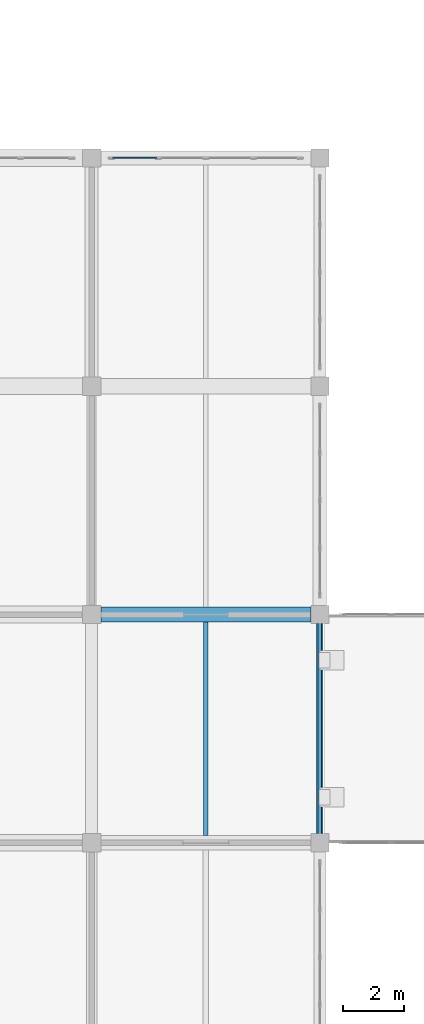
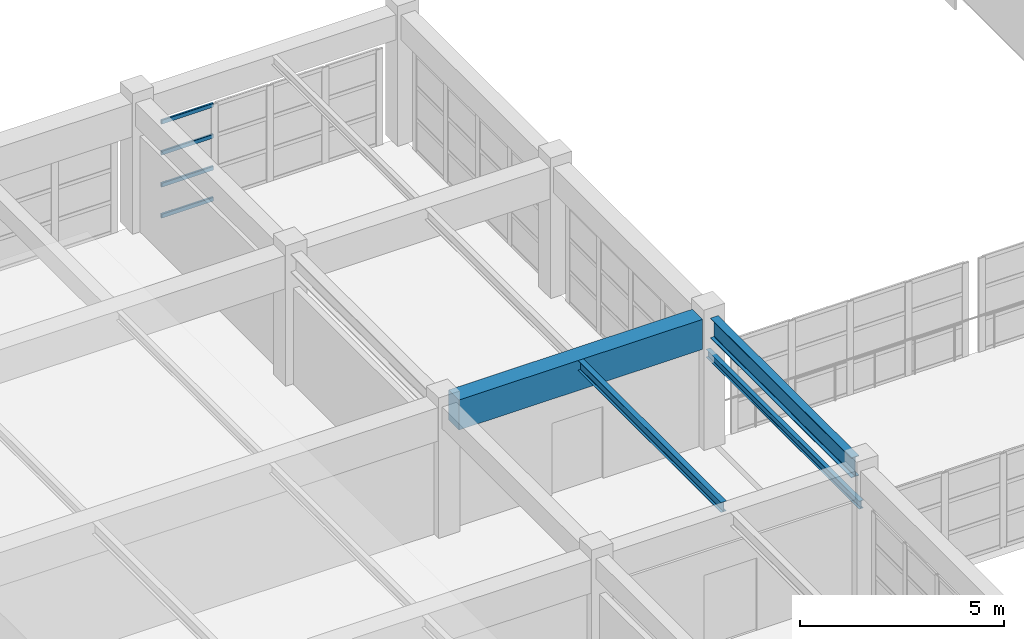
# One storey, part 21 of 124: 4 beams, 4 members, 1 element without a shape of its own.
"""IFC4 building model written with IfcOpenShell, lengths in metres."""

from ifc_helpers import new_model, si_unit, direction, frame, origin, origin_2d, place, context, subcontext, project, spatial, rectangle, hollow_rectangle, i_section, extrude, material, material_profile, profile_set, type_object, element, aggregate, save


model = new_model("IFC4")

# Units and contexts
model_context = context("Model", 3, precision=1e-05, world=origin(), true_north=direction((0.0, 1.0)))
body_context = subcontext(model_context, "Body", "Model", "MODEL_VIEW")
ifc_project = project(units=[si_unit("LENGTHUNIT", "METRE"), si_unit("AREAUNIT", "SQUARE_METRE"), si_unit("VOLUMEUNIT", "CUBIC_METRE"), si_unit("PLANEANGLEUNIT", "RADIAN"), si_unit("MASSUNIT", "GRAM", prefix="KILO")], contexts=[model_context])

# Site, building, storey
site_placement = place(None, origin())
site = spatial("IfcSite", under=ifc_project, at=site_placement, CompositionType="ELEMENT")
building_placement = place(site_placement, origin())
building = spatial("IfcBuilding", under=site, at=building_placement, Name="Qasida Concert Hall", CompositionType="ELEMENT")
storey_placement = place(building_placement, frame((0.0, 0.0, 9.0)))
storey = spatial("IfcBuildingStorey", under=building, at=storey_placement, Name="L02", CompositionType="ELEMENT", Elevation=9.0)

# Beams
ifc_material_1 = material(Name="Concrete C40/50", Category="concrete")
ifc_material_profile_1 = material_profile(ifc_material_1, rectangle(XDim=0.5, YDim=0.89990234375, at=origin_2d()), Name="RC 500x900")
ifc_profile_set_1 = profile_set([ifc_material_profile_1], Name="Concrete C40/50")
beam_type_1 = type_object("IfcBeamType", Name="BM-G1", PredefinedType="USERDEFINED", material=ifc_profile_set_1)
beam_1_placement = place(storey_placement, frame((30.300048828125, 37.5, 3.449951171875), z_axis=(1.0, 0.0, 0.0), x_axis=(0.0, 1.0, 0.0)))
element("IfcBeam", 1, at=beam_1_placement, inside=storey, type_object=beam_type_1, Name="Primary girder 1286", ObjectType="GIRDER", PredefinedType="USERDEFINED", context=body_context, shape_type="SweptSolid", body=[
    extrude(rectangle(XDim=0.5, YDim=0.89990234375, at=origin_2d()), origin(), (0.0, 0.0, 1.0), 6.89990234375),
])
ifc_material_2 = material(Name="Steel S355J2", Category="steel")
ifc_material_profile_2 = material_profile(ifc_material_2, i_section(OverallWidth=0.14990234375, OverallDepth=0.300048828125, WebThickness=0.007080078125, FlangeThickness=0.0107421875, FilletRadius=0.014892578125, at=origin_2d()), Name="IPE 300")
ifc_profile_set_2 = profile_set([ifc_material_profile_2], Name="Steel S355J2")
beam_type_2 = type_object("IfcBeamType", Name="BM-J4", PredefinedType="JOIST", material=ifc_profile_set_2)
beam_2_placement = place(storey_placement, frame((33.75, 30.239990234375, 3.75), z_axis=(0.0, 1.0, 0.0), x_axis=(-1.0, 0.0, 0.0)))
element("IfcBeam", 2, at=beam_2_placement, inside=storey, type_object=beam_type_2, Name="L02 secondary joist 1347", PredefinedType="JOIST", context=body_context, shape_type="SweptSolid", body=[
    extrude(i_section(OverallWidth=0.14990234375, OverallDepth=0.300048828125, WebThickness=0.007080078125, FlangeThickness=0.0107421875, FilletRadius=0.014892578125, at=origin_2d()), origin(), (0.0, 0.0, 1.0), 7.010009765625),
])
ifc_material_profile_3 = material_profile(ifc_material_2, i_section(OverallWidth=0.1201171875, OverallDepth=0.239990234375, WebThickness=0.006103515625, FlangeThickness=0.009765625, FilletRadius=0.014892578125, at=origin_2d()), Name="IPE 240")
ifc_profile_set_3 = profile_set([ifc_material_profile_3], Name="Steel S355J2")
beam_type_3 = type_object("IfcBeamType", Name="BM-LN2", PredefinedType="LINTEL", material=ifc_profile_set_3)
beam_3_placement = place(storey_placement, frame((37.5, 30.0, 2.64990234375), z_axis=(0.0, 1.0, 0.0), x_axis=(-1.0, 0.0, 0.0)))
element("IfcBeam", 3, at=beam_3_placement, inside=storey, type_object=beam_type_3, Name="L02 portal lintel beam 012", PredefinedType="LINTEL", context=body_context, shape_type="SweptSolid", body=[
    extrude(i_section(OverallWidth=0.1201171875, OverallDepth=0.239990234375, WebThickness=0.006103515625, FlangeThickness=0.009765625, FilletRadius=0.014892578125, at=origin_2d()), origin(), (0.0, 0.0, 1.0), 7.5),
])
ifc_material_profile_4 = material_profile(ifc_material_2, i_section(OverallWidth=0.219970703125, OverallDepth=0.60009765625, WebThickness=0.011962890625, FlangeThickness=0.01904296875, FilletRadius=0.02392578125, at=origin_2d()), Name="IPE 600")
ifc_profile_set_4 = profile_set([ifc_material_profile_4], Name="Steel S355J2")
beam_type_4 = type_object("IfcBeamType", Name="BM-SP3", PredefinedType="SPANDREL", material=ifc_profile_set_4)
beam_4_placement = place(storey_placement, frame((37.5, 30.300048828125, 3.60009765625), z_axis=(0.0, 1.0, 0.0), x_axis=(-1.0, 0.0, 0.0)))
element("IfcBeam", 4, at=beam_4_placement, inside=storey, type_object=beam_type_4, Name="L02 girder 1318", PredefinedType="SPANDREL", context=body_context, shape_type="SweptSolid", body=[
    extrude(i_section(OverallWidth=0.219970703125, OverallDepth=0.60009765625, WebThickness=0.011962890625, FlangeThickness=0.01904296875, FilletRadius=0.02392578125, at=origin_2d()), origin(), (0.0, 0.0, 1.0), 6.89990234375),
])

# Curtain wall, members
ifc_material_3 = material(Name="Architectural bronze-anodized aluminium and low-E glass", Category="aluminium")
curtain_wall_type = type_object("IfcCurtainWallType", Name="CW-08", PredefinedType="NOTDEFINED", material=ifc_material_3)
curtain_wall_placement = place(storey_placement, origin())
curtain_wall = element("IfcCurtainWall", 5, at=curtain_wall_placement, inside=storey, type_object=curtain_wall_type, Name="L02 curtain wall CW-08 0108", PredefinedType="NOTDEFINED")
ifc_material_4 = material(Name="Architectural bronze-anodized aluminium EN AW-6063", Category="aluminium")
ifc_material_profile_5 = material_profile(ifc_material_4, hollow_rectangle(XDim=0.06005859375, YDim=0.1201171875, WallThickness=0.00390625, InnerFilletRadius=0.00390625, OuterFilletRadius=0.008056640625, at=origin_2d()), Name="CWT 120x60x4")
ifc_profile_set_5 = profile_set([ifc_material_profile_5], Name="Architectural bronze-anodized aluminium EN AW-6063")
member_type = type_object("IfcMemberType", Name="MB-CWT-2", PredefinedType="USERDEFINED", material=ifc_profile_set_5)
member_1_placement = place(storey_placement, frame((30.68505859375, 52.5, 0.030029296875), z_axis=(1.0, 0.0, 0.0), x_axis=(0.0, 1.0, 0.0)))
member_1 = element("IfcMember", 6, at=member_1_placement, type_object=member_type, Name="CW-08 transom 1.1", ObjectType="TRANSOM", PredefinedType="USERDEFINED", context=body_context, shape_type="SweptSolid", body=[
    extrude(hollow_rectangle(XDim=0.06005859375, YDim=0.1201171875, WallThickness=0.00390625, InnerFilletRadius=0.00390625, OuterFilletRadius=0.008056640625, at=origin_2d()), origin(), (0.0, 0.0, 1.0), 1.467529296875),
])
member_2_placement = place(storey_placement, frame((30.68505859375, 52.5, 0.956787109375), z_axis=(1.0, 0.0, 0.0), x_axis=(0.0, 1.0, 0.0)))
member_2 = element("IfcMember", 7, at=member_2_placement, type_object=member_type, Name="CW-08 transom 1.2", ObjectType="TRANSOM", PredefinedType="USERDEFINED", context=body_context, shape_type="SweptSolid", body=[
    extrude(hollow_rectangle(XDim=0.06005859375, YDim=0.1201171875, WallThickness=0.00390625, InnerFilletRadius=0.00390625, OuterFilletRadius=0.008056640625, at=origin_2d()), origin(), (0.0, 0.0, 1.0), 1.467529296875),
])
member_3_placement = place(storey_placement, frame((30.68505859375, 52.5, 1.913330078125), z_axis=(1.0, 0.0, 0.0), x_axis=(0.0, 1.0, 0.0)))
member_3 = element("IfcMember", 8, at=member_3_placement, type_object=member_type, Name="CW-08 transom 1.3", ObjectType="TRANSOM", PredefinedType="USERDEFINED", context=body_context, shape_type="SweptSolid", body=[
    extrude(hollow_rectangle(XDim=0.06005859375, YDim=0.1201171875, WallThickness=0.00390625, InnerFilletRadius=0.00390625, OuterFilletRadius=0.008056640625, at=origin_2d()), origin(), (0.0, 0.0, 1.0), 1.467529296875),
])
member_4_placement = place(storey_placement, frame((30.68505859375, 52.5, 2.840087890625), z_axis=(1.0, 0.0, 0.0), x_axis=(0.0, 1.0, 0.0)))
member_4 = element("IfcMember", 9, at=member_4_placement, type_object=member_type, Name="CW-08 transom 1.4", ObjectType="TRANSOM", PredefinedType="USERDEFINED", context=body_context, shape_type="SweptSolid", body=[
    extrude(hollow_rectangle(XDim=0.06005859375, YDim=0.1201171875, WallThickness=0.00390625, InnerFilletRadius=0.00390625, OuterFilletRadius=0.008056640625, at=origin_2d()), origin(), (0.0, 0.0, 1.0), 1.467529296875),
])
aggregate(curtain_wall, [member_1, member_2, member_3, member_4])

save(model, "model.ifc")
